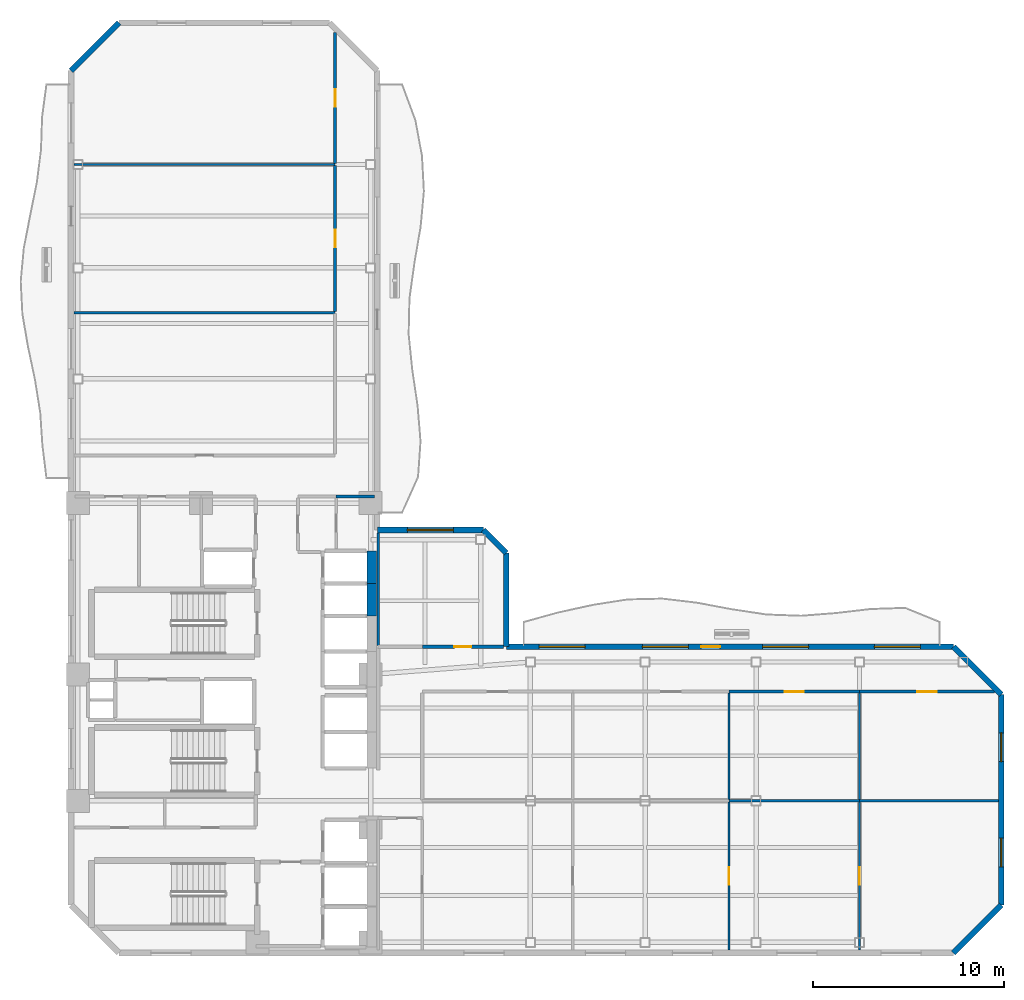
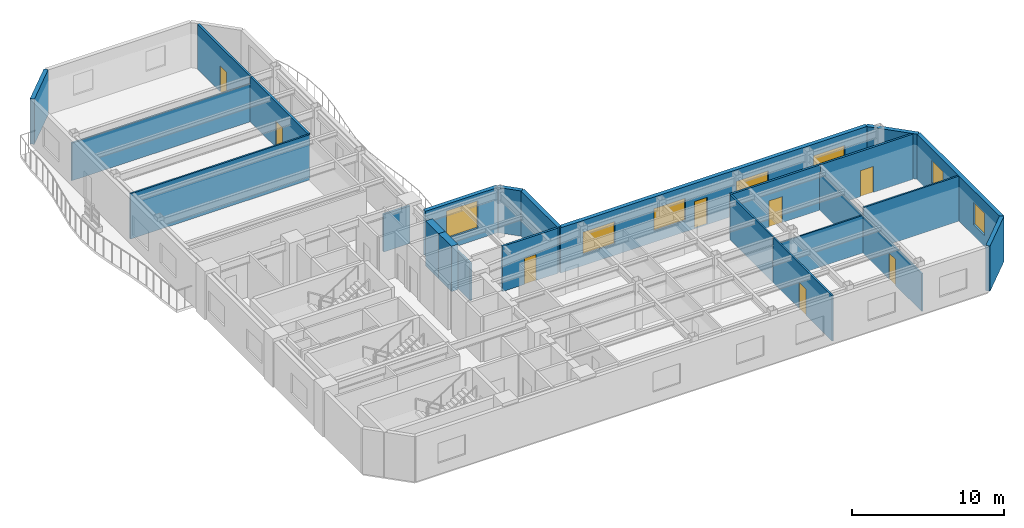
# One storey, part 5 of 9: 25 walls, 8 doors, 7 windows, 15 openings.
"""IFC4 building model written with IfcOpenShell, lengths in metres."""

from ifc_helpers import new_model, si_unit, direction, frame, frame_2d, origin, place, context, subcontext, project, spatial, rectangle, extrude, material, layer, layer_set, type_object, element, fill, save


model = new_model("IFC4")

# Units and contexts
model_context = context("Model", 3, precision=1e-05, world=origin(), true_north=direction((0.0, 1.0)))
body_context = subcontext(model_context, "Body", "Model", "MODEL_VIEW")
ifc_project = project(units=[si_unit("LENGTHUNIT", "METRE"), si_unit("AREAUNIT", "SQUARE_METRE"), si_unit("VOLUMEUNIT", "CUBIC_METRE"), si_unit("PLANEANGLEUNIT", "RADIAN"), si_unit("MASSUNIT", "GRAM", prefix="KILO")], contexts=[model_context])

# Site, building, storey
site_placement = place(None, origin())
site = spatial("IfcSite", under=ifc_project, at=site_placement, CompositionType="ELEMENT")
building_placement = place(site_placement, origin())
building = spatial("IfcBuilding", under=site, at=building_placement, Name="Mawjaban Terraces University", CompositionType="ELEMENT")
storey_placement = place(building_placement, frame((0.0, 0.0, 161.89990234375)))
storey = spatial("IfcBuildingStorey", under=building, at=storey_placement, Name="L39", CompositionType="ELEMENT", Elevation=161.89990234375)

# Walls
ifc_material_1 = material(Name="Concrete C60/75", Category="concrete")
ifc_layer_1 = layer(ifc_material_1, 0.5)
ifc_layer_set_1 = layer_set([ifc_layer_1], Name="Concrete C60/75")
wall_type_1 = type_object("IfcWallType", Name="CoreShearWall_500", PredefinedType="SHEAR", material=ifc_layer_set_1)
for number, where, z_axis, x_axis, name in (
    (1, (37.699951171875, 17.60009765625, 0.0), (0.0, 0.0, 1.0), (0.0, 1.0, 0.0), "L39 Lift PL-M1 Hoistway Wall East"),
    (2, (37.699951171875, 19.300048828125, 0.0), (0.0, 0.0, 1.0), (0.0, 1.0, 0.0), "L39 Lift PL-M2 Hoistway Wall East"),
):
    element("IfcWall", number, at=place(storey_placement, frame(where, z_axis=z_axis, x_axis=x_axis)), inside=storey, type_object=wall_type_1, Name=name, PredefinedType="SHEAR", context=body_context, shape_type="SweptSolid", body=[
        extrude(rectangle(XDim=1.699951171875, YDim=0.5, at=frame_2d((0.85009765625, 0.0))), origin(), (0.0, 0.0, 1.0), 3.64013671875),
    ])
ifc_material_2 = material(Name="Fire-rated gypsum board on steel stud", Category="steel")
ifc_layer_2 = layer(ifc_material_2, 0.159912109375)
ifc_layer_set_2 = layer_set([ifc_layer_2], Name="Fire-rated gypsum board on steel stud")
wall_type_2 = type_object("IfcWallType", Name="CorridorPartition_160", PredefinedType="PARTITIONING", material=ifc_layer_set_2)
wall_1_placement = place(storey_placement, frame((37.85009765625, 23.85009765625, 0.0), z_axis=(0.0, 0.0, 1.0), x_axis=(-1.0, 0.0, 0.0)))
element("IfcWall", 3, at=wall_1_placement, inside=storey, type_object=wall_type_2, Name="L39 Faculty Archive Closet Partition 15", PredefinedType="PARTITIONING", context=body_context, shape_type="SweptSolid", body=[
    extrude(rectangle(XDim=2.0, YDim=0.159912109375, at=frame_2d((1.0, 0.0))), origin(), (0.0, 0.0, 1.0), 3.023193359375),
])

# Wall, opening, door
wall_2_placement = place(storey_placement, frame((40.35009765625, 16.0, 0.0), z_axis=(0.0, 0.0, 1.0), x_axis=(1.0, 0.0, 0.0)))
wall_2 = element("IfcWall", 4, at=wall_2_placement, inside=storey, type_object=wall_type_2, Name="L39 Terrace Collaborative Study Room Partition 19", PredefinedType="PARTITIONING", context=body_context, shape_type="SweptSolid", body=[
    extrude(rectangle(XDim=4.245849609375, YDim=0.159912109375, at=frame_2d((2.123046875, 0.0))), origin(), (0.0, 0.0, 1.0), 3.64013671875),
])
opening_1_placement = place(wall_2_placement, frame((1.673095703125, 0.0, 0.0)))
opening_1 = element("IfcOpeningElement", 5, at=opening_1_placement, cuts=wall_2, Name="Opening ID-090", PredefinedType="OPENING", context=body_context, shape_type="SweptSolid", body=[
    extrude(rectangle(XDim=0.89990234375, YDim=2.10009765625, at=frame_2d((0.449951171875, 1.050048828125))), frame((0.0, 0.08984375, 0.0), z_axis=(0.0, -1.0, 0.0), x_axis=(1.0, 0.0, 0.0)), (0.0, 0.0, 1.0), 0.179931640625),
])
ifc_material_3 = material(Name="Powder-coated steel frame and solid acoustic timber leaf", Category="steel")
door_type_1 = type_object("IfcDoorType", Name="OfficeDoor_900x2100", OperationType="NOTDEFINED", PredefinedType="DOOR", material=ifc_material_3)
door_1_placement = place(opening_1_placement, origin())
door_1 = element("IfcDoor", 6, at=door_1_placement, inside=storey, type_object=door_type_1, Name="L39 Terrace Collaborative Study Room Door", OperationType="SINGLE_SWING_RIGHT", OverallHeight=2.10009765625, OverallWidth=0.89990234375, PredefinedType="DOOR", context=body_context, shape_type="SweptSolid", body=[
    extrude(rectangle(XDim=0.89990234375, YDim=2.10009765625, at=frame_2d((0.449951171875, 1.050048828125))), frame((0.0, 0.02490234375, 0.0), z_axis=(0.0, -1.0, 0.0), x_axis=(1.0, 0.0, 0.0)), (0.0, 0.0, 1.0), 0.050048828125),
])
fill(opening_1, door_1)

wall_3_placement = place(storey_placement, frame((56.3798828125, 13.64990234375, 0.0), z_axis=(0.0, 0.0, 1.0), x_axis=(1.0, 0.0, 0.0)))
wall_3 = element("IfcWall", 7, at=wall_3_placement, inside=storey, type_object=wall_type_2, Name="L39 Inner Terrace Gallery Corridor East Partition 23", PredefinedType="PARTITIONING", context=body_context, shape_type="SweptSolid", body=[
    extrude(rectangle(XDim=6.820068359375, YDim=0.159912109375, at=frame_2d((3.41015625, 0.0))), origin(), (0.0, 0.0, 1.0), 3.64013671875),
])
opening_2_placement = place(wall_3_placement, frame((2.909912109375, 0.0, 0.0)))
opening_2 = element("IfcOpeningElement", 8, at=opening_2_placement, cuts=wall_3, Name="Opening ID-100", PredefinedType="OPENING", context=body_context, shape_type="SweptSolid", body=[
    extrude(rectangle(XDim=1.0, YDim=2.10009765625, at=frame_2d((0.5, 1.050048828125))), frame((0.0, 0.08984375, 0.0), z_axis=(0.0, -1.0, 0.0), x_axis=(1.0, 0.0, 0.0)), (0.0, 0.0, 1.0), 0.179931640625),
])
door_type_2 = type_object("IfcDoorType", Name="ClassroomDoor_1000x2100", OperationType="NOTDEFINED", PredefinedType="DOOR", material=ifc_material_3)
door_2_placement = place(opening_2_placement, origin())
door_2 = element("IfcDoor", 9, at=door_2_placement, inside=storey, type_object=door_type_2, Name="L39 Classroom 7 Door", OperationType="SINGLE_SWING_RIGHT", OverallHeight=2.10009765625, OverallWidth=1.0, PredefinedType="DOOR", context=body_context, shape_type="SweptSolid", body=[
    extrude(rectangle(XDim=1.0, YDim=2.10009765625, at=frame_2d((0.5, 1.050048828125))), frame((0.0, 0.02490234375, 0.0), z_axis=(0.0, -1.0, 0.0), x_axis=(1.0, 0.0, 0.0)), (0.0, 0.0, 1.0), 0.050048828125),
])
fill(opening_2, door_2)

wall_4_placement = place(storey_placement, frame((63.199951171875, 13.64990234375, 0.0), z_axis=(0.0, 0.0, 1.0), x_axis=(1.0, 0.0, 0.0)))
wall_4 = element("IfcWall", 10, at=wall_4_placement, inside=storey, type_object=wall_type_2, Name="L39 Inner Terrace Gallery Corridor East Partition 25", PredefinedType="PARTITIONING", context=body_context, shape_type="SweptSolid", body=[
    extrude(rectangle(XDim=7.045166015625, YDim=0.159912109375, at=frame_2d((3.5224609375, 0.0))), origin(), (0.0, 0.0, 1.0), 3.64013671875),
])
opening_3_placement = place(wall_4_placement, frame((3.02294921875, 0.0, 0.0)))
opening_3 = element("IfcOpeningElement", 11, at=opening_3_placement, cuts=wall_4, Name="Opening ID-100", PredefinedType="OPENING", context=body_context, shape_type="SweptSolid", body=[
    extrude(rectangle(XDim=1.0, YDim=2.10009765625, at=frame_2d((0.5, 1.050048828125))), frame((0.0, 0.08984375, 0.0), z_axis=(0.0, -1.0, 0.0), x_axis=(1.0, 0.0, 0.0)), (0.0, 0.0, 1.0), 0.179931640625),
])
door_3_placement = place(opening_3_placement, origin())
door_3 = element("IfcDoor", 12, at=door_3_placement, inside=storey, type_object=door_type_2, Name="L39 Tutorial Room 9 Door", OperationType="SINGLE_SWING_RIGHT", OverallHeight=2.10009765625, OverallWidth=1.0, PredefinedType="DOOR", context=body_context, shape_type="SweptSolid", body=[
    extrude(rectangle(XDim=1.0, YDim=2.10009765625, at=frame_2d((0.5, 1.050048828125))), frame((0.0, 0.02490234375, 0.0), z_axis=(0.0, -1.0, 0.0), x_axis=(1.0, 0.0, 0.0)), (0.0, 0.0, 1.0), 0.050048828125),
])
fill(opening_3, door_3)

wall_5_placement = place(storey_placement, frame((35.800048828125, 41.14306640625, 0.0), z_axis=(0.0, 0.0, 1.0), x_axis=(0.0, -1.0, 0.0)))
wall_5 = element("IfcWall", 13, at=wall_5_placement, inside=storey, type_object=wall_type_2, Name="L39 Inner Terrace Gallery Corridor North Partition 35", PredefinedType="PARTITIONING", context=body_context, shape_type="SweptSolid", body=[
    extrude(rectangle(XDim=7.6259765625, YDim=0.159912109375, at=frame_2d((3.81298828125, 0.0))), origin(), (0.0, 0.0, 1.0), 3.64013671875),
])
opening_4_placement = place(wall_5_placement, frame((3.363037109375, 0.0, 0.0)))
opening_4 = element("IfcOpeningElement", 14, at=opening_4_placement, cuts=wall_5, Name="Opening ID-090", PredefinedType="OPENING", context=body_context, shape_type="SweptSolid", body=[
    extrude(rectangle(XDim=0.89990234375, YDim=2.10009765625, at=frame_2d((0.449951171875, 1.050048828125))), frame((0.0, 0.08984375, 0.0), z_axis=(0.0, -1.0, 0.0), x_axis=(1.0, 0.0, 0.0)), (0.0, 0.0, 1.0), 0.179931640625),
])
door_4_placement = place(opening_4_placement, origin())
door_4 = element("IfcDoor", 15, at=door_4_placement, inside=storey, type_object=door_type_1, Name="L39 Student Tea Pantry 11 Door", OperationType="SINGLE_SWING_RIGHT", OverallHeight=2.10009765625, OverallWidth=0.89990234375, PredefinedType="DOOR", context=body_context, shape_type="SweptSolid", body=[
    extrude(rectangle(XDim=0.89990234375, YDim=2.10009765625, at=frame_2d((0.449951171875, 1.050048828125))), frame((0.0, 0.02490234375, 0.0), z_axis=(0.0, -1.0, 0.0), x_axis=(1.0, 0.0, 0.0)), (0.0, 0.0, 1.0), 0.050048828125),
])
fill(opening_4, door_4)

wall_6_placement = place(storey_placement, frame((35.800048828125, 48.094970703125, 0.0), z_axis=(0.0, 0.0, 1.0), x_axis=(0.0, -1.0, 0.0)))
wall_6 = element("IfcWall", 16, at=wall_6_placement, inside=storey, type_object=wall_type_2, Name="L39 Inner Terrace Gallery Corridor North Partition 36", PredefinedType="PARTITIONING", context=body_context, shape_type="SweptSolid", body=[
    extrude(rectangle(XDim=6.8369140625, YDim=0.159912109375, at=frame_2d((3.41845703125, 0.0))), origin(), (0.0, 0.0, 1.0), 3.64013671875),
])
opening_5_placement = place(wall_6_placement, frame((2.968017578125, 0.0, 0.0)))
opening_5 = element("IfcOpeningElement", 17, at=opening_5_placement, cuts=wall_6, Name="Opening ID-090", PredefinedType="OPENING", context=body_context, shape_type="SweptSolid", body=[
    extrude(rectangle(XDim=0.89990234375, YDim=2.10009765625, at=frame_2d((0.449951171875, 1.050048828125))), frame((0.0, 0.08984375, 0.0), z_axis=(0.0, -1.0, 0.0), x_axis=(1.0, 0.0, 0.0)), (0.0, 0.0, 1.0), 0.179931640625),
])
door_5_placement = place(opening_5_placement, origin())
door_5 = element("IfcDoor", 18, at=door_5_placement, inside=storey, type_object=door_type_1, Name="L39 Quiet Reading Room 12 Door", OperationType="SINGLE_SWING_LEFT", OverallHeight=2.10009765625, OverallWidth=0.89990234375, PredefinedType="DOOR", context=body_context, shape_type="SweptSolid", body=[
    extrude(rectangle(XDim=0.89990234375, YDim=2.10009765625, at=frame_2d((0.449951171875, 1.050048828125))), frame((0.0, 0.02490234375, 0.0), z_axis=(0.0, -1.0, 0.0), x_axis=(1.0, 0.0, 0.0)), (0.0, 0.0, 1.0), 0.050048828125),
])
fill(opening_5, door_5)

# Wall
ifc_material_4 = material(Name="Insulated terracotta rainscreen on concrete backup C40/50", Category="masonry")
ifc_layer_3 = layer(ifc_material_4, 0.300048828125)
ifc_layer_set_3 = layer_set([ifc_layer_3], Name="Insulated terracotta rainscreen on concrete backup C40/50")
wall_type_3 = type_object("IfcWallType", Name="ExtTerracottaWall_300", PredefinedType="SOLIDWALL", material=ifc_layer_set_3)
wall_7_placement = place(storey_placement, frame((68.10009765625, 0.0, 0.0), z_axis=(0.0, 0.0, 1.0), x_axis=(0.707106781187, 0.707106781187, 0.0)))
element("IfcWall", 19, at=wall_7_placement, inside=storey, type_object=wall_type_3, Name="L39 Exterior Terracotta Wall 2", PredefinedType="SOLIDWALL", context=body_context, shape_type="SweptSolid", body=[
    extrude(rectangle(XDim=3.53564453125, YDim=0.300048828125, at=frame_2d((1.767822265625, 0.0))), origin(), (0.0, 0.0, 1.0), 3.64013671875),
])

# Wall, openings, windows
wall_8_placement = place(storey_placement, frame((70.60009765625, 2.5, 0.0), z_axis=(0.0, 0.0, 1.0), x_axis=(0.0, 1.0, 0.0)))
wall_8 = element("IfcWall", 20, at=wall_8_placement, inside=storey, type_object=wall_type_3, Name="L39 Exterior Terracotta Wall 3", PredefinedType="SOLIDWALL", context=body_context, shape_type="SweptSolid", body=[
    extrude(rectangle(XDim=11.0, YDim=0.300048828125, at=frame_2d((5.5, 0.0))), origin(), (0.0, 0.0, 1.0), 3.64013671875),
])
opening_6_placement = place(wall_8_placement, frame((2.0, 0.0, 0.89990234375)))
opening_6 = element("IfcOpeningElement", 21, at=opening_6_placement, cuts=wall_8, Name="Opening W-06", PredefinedType="OPENING", context=body_context, shape_type="SweptSolid", body=[
    extrude(rectangle(XDim=1.5, YDim=1.800048828125, at=frame_2d((0.75, 0.89990234375))), frame((0.0, 0.159912109375, 0.0), z_axis=(0.0, -1.0, 0.0), x_axis=(1.0, 0.0, 0.0)), (0.0, 0.0, 1.0), 0.320068359375),
])
opening_7_placement = place(wall_8_placement, frame((7.5, 0.0, 0.89990234375)))
opening_7 = element("IfcOpeningElement", 22, at=opening_7_placement, cuts=wall_8, Name="Opening W-06", PredefinedType="OPENING", context=body_context, shape_type="SweptSolid", body=[
    extrude(rectangle(XDim=1.5, YDim=1.800048828125, at=frame_2d((0.75, 0.89990234375))), frame((0.0, 0.159912109375, 0.0), z_axis=(0.0, -1.0, 0.0), x_axis=(1.0, 0.0, 0.0)), (0.0, 0.0, 1.0), 0.320068359375),
])
ifc_material_5 = material(Name="Low-E solar-control double glazing in thermally broken aluminium frame", Category="aluminium")
window_type_1 = type_object("IfcWindowType", Name="Win_1500x1800", PartitioningType="SINGLE_PANEL", PredefinedType="WINDOW", material=ifc_material_5)
window_1_placement = place(opening_6_placement, origin())
window_1 = element("IfcWindow", 23, at=window_1_placement, inside=storey, type_object=window_type_1, Name="L39 Facade Window 3.1", OverallHeight=1.800048828125, OverallWidth=1.5, PartitioningType="SINGLE_PANEL", PredefinedType="WINDOW", context=body_context, shape_type="SweptSolid", body=[
    extrude(rectangle(XDim=1.5, YDim=1.800048828125, at=frame_2d((0.75, 0.89990234375))), frame((0.0, 0.030029296875, 0.0), z_axis=(0.0, -1.0, 0.0), x_axis=(1.0, 0.0, 0.0)), (0.0, 0.0, 1.0), 0.06005859375),
])
fill(opening_6, window_1)
window_2_placement = place(opening_7_placement, origin())
window_2 = element("IfcWindow", 24, at=window_2_placement, inside=storey, type_object=window_type_1, Name="L39 Facade Window 3.2", OverallHeight=1.800048828125, OverallWidth=1.5, PartitioningType="SINGLE_PANEL", PredefinedType="WINDOW", context=body_context, shape_type="SweptSolid", body=[
    extrude(rectangle(XDim=1.5, YDim=1.800048828125, at=frame_2d((0.75, 0.89990234375))), frame((0.0, 0.030029296875, 0.0), z_axis=(0.0, -1.0, 0.0), x_axis=(1.0, 0.0, 0.0)), (0.0, 0.0, 1.0), 0.06005859375),
])
fill(opening_7, window_2)

# Wall
wall_9_placement = place(storey_placement, frame((70.60009765625, 13.5, 0.0), z_axis=(0.0, 0.0, 1.0), x_axis=(-0.707106781187, 0.707106781187, 0.0)))
element("IfcWall", 25, at=wall_9_placement, inside=storey, type_object=wall_type_3, Name="L39 Exterior Terracotta Wall 4", PredefinedType="SOLIDWALL", context=body_context, shape_type="SweptSolid", body=[
    extrude(rectangle(XDim=3.53564453125, YDim=0.300048828125, at=frame_2d((1.767822265625, 0.0))), origin(), (0.0, 0.0, 1.0), 3.64013671875),
])

# Wall, openings, door, windows
wall_10_placement = place(storey_placement, frame((68.10009765625, 16.0, 0.0), z_axis=(0.0, 0.0, 1.0), x_axis=(-1.0, 0.0, 0.0)))
wall_10 = element("IfcWall", 26, at=wall_10_placement, inside=storey, type_object=wall_type_3, Name="L39 Exterior Terracotta Wall 5", PredefinedType="SOLIDWALL", context=body_context, shape_type="SweptSolid", body=[
    extrude(rectangle(XDim=23.359130859375, YDim=0.300048828125, at=frame_2d((11.6796875, 0.0))), origin(), (0.0, 0.0, 1.0), 3.64013671875),
])
opening_8_placement = place(wall_10_placement, frame((12.178955078125, 0.0, 0.0)))
opening_8 = element("IfcOpeningElement", 27, at=opening_8_placement, cuts=wall_10, Name="Opening BD-100", PredefinedType="OPENING", context=body_context, shape_type="SweptSolid", body=[
    extrude(rectangle(XDim=1.0, YDim=2.199951171875, at=frame_2d((0.5, 1.10009765625))), frame((0.0, 0.159912109375, 0.0), z_axis=(0.0, -1.0, 0.0), x_axis=(1.0, 0.0, 0.0)), (0.0, 0.0, 1.0), 0.320068359375),
])
opening_9_placement = place(wall_10_placement, frame((1.719970703125, 0.0, 0.89990234375)))
opening_9 = element("IfcOpeningElement", 28, at=opening_9_placement, cuts=wall_10, Name="Opening W-08", PredefinedType="OPENING", context=body_context, shape_type="SweptSolid", body=[
    extrude(rectangle(XDim=2.39990234375, YDim=1.800048828125, at=frame_2d((1.199951171875, 0.89990234375))), frame((0.0, 0.159912109375, 0.0), z_axis=(0.0, -1.0, 0.0), x_axis=(1.0, 0.0, 0.0)), (0.0, 0.0, 1.0), 0.320068359375),
])
opening_10_placement = place(wall_10_placement, frame((7.56005859375, 0.0, 0.89990234375)))
opening_10 = element("IfcOpeningElement", 29, at=opening_10_placement, cuts=wall_10, Name="Opening W-08", PredefinedType="OPENING", context=body_context, shape_type="SweptSolid", body=[
    extrude(rectangle(XDim=2.39990234375, YDim=1.800048828125, at=frame_2d((1.199951171875, 0.89990234375))), frame((0.0, 0.159912109375, 0.0), z_axis=(0.0, -1.0, 0.0), x_axis=(1.0, 0.0, 0.0)), (0.0, 0.0, 1.0), 0.320068359375),
])
opening_11_placement = place(wall_10_placement, frame((13.84912109375, 0.0, 0.89990234375)))
opening_11 = element("IfcOpeningElement", 30, at=opening_11_placement, cuts=wall_10, Name="Opening W-08", PredefinedType="OPENING", context=body_context, shape_type="SweptSolid", body=[
    extrude(rectangle(XDim=2.39990234375, YDim=1.800048828125, at=frame_2d((1.199951171875, 0.89990234375))), frame((0.0, 0.159912109375, 0.0), z_axis=(0.0, -1.0, 0.0), x_axis=(1.0, 0.0, 0.0)), (0.0, 0.0, 1.0), 0.320068359375),
])
opening_12_placement = place(wall_10_placement, frame((19.239013671875, 0.0, 0.89990234375)))
opening_12 = element("IfcOpeningElement", 31, at=opening_12_placement, cuts=wall_10, Name="Opening W-08", PredefinedType="OPENING", context=body_context, shape_type="SweptSolid", body=[
    extrude(rectangle(XDim=2.39990234375, YDim=1.800048828125, at=frame_2d((1.199951171875, 0.89990234375))), frame((0.0, 0.159912109375, 0.0), z_axis=(0.0, -1.0, 0.0), x_axis=(1.0, 0.0, 0.0)), (0.0, 0.0, 1.0), 0.320068359375),
])
ifc_material_6 = material(Name="Thermally broken anodised aluminium and laminated safety glass", Category="aluminium")
door_type_3 = type_object("IfcDoorType", Name="BalconyGlazedDoor_1000x2200", OperationType="NOTDEFINED", PredefinedType="DOOR", material=ifc_material_6)
door_6_placement = place(opening_8_placement, origin())
door_6 = element("IfcDoor", 32, at=door_6_placement, inside=storey, type_object=door_type_3, Name="L39 Balcony Access Door inner_north", OperationType="SINGLE_SWING_RIGHT", OverallHeight=2.199951171875, OverallWidth=1.0, PredefinedType="DOOR", context=body_context, shape_type="SweptSolid", body=[
    extrude(rectangle(XDim=1.0, YDim=2.199951171875, at=frame_2d((0.5, 1.10009765625))), frame((0.0, 0.02490234375, 0.0), z_axis=(0.0, -1.0, 0.0), x_axis=(1.0, 0.0, 0.0)), (0.0, 0.0, 1.0), 0.050048828125),
])
fill(opening_8, door_6)
window_type_2 = type_object("IfcWindowType", Name="Win_2400x1800", PartitioningType="SINGLE_PANEL", PredefinedType="WINDOW", material=ifc_material_5)
window_3_placement = place(opening_9_placement, origin())
window_3 = element("IfcWindow", 33, at=window_3_placement, inside=storey, type_object=window_type_2, Name="L39 Facade Window 5.1", OverallHeight=1.800048828125, OverallWidth=2.39990234375, PartitioningType="SINGLE_PANEL", PredefinedType="WINDOW", context=body_context, shape_type="SweptSolid", body=[
    extrude(rectangle(XDim=2.39990234375, YDim=1.800048828125, at=frame_2d((1.199951171875, 0.89990234375))), frame((0.0, 0.030029296875, 0.0), z_axis=(0.0, -1.0, 0.0), x_axis=(1.0, 0.0, 0.0)), (0.0, 0.0, 1.0), 0.06005859375),
])
fill(opening_9, window_3)
window_4_placement = place(opening_10_placement, origin())
window_4 = element("IfcWindow", 34, at=window_4_placement, inside=storey, type_object=window_type_2, Name="L39 Facade Window 5.2", OverallHeight=1.800048828125, OverallWidth=2.39990234375, PartitioningType="SINGLE_PANEL", PredefinedType="WINDOW", context=body_context, shape_type="SweptSolid", body=[
    extrude(rectangle(XDim=2.39990234375, YDim=1.800048828125, at=frame_2d((1.199951171875, 0.89990234375))), frame((0.0, 0.030029296875, 0.0), z_axis=(0.0, -1.0, 0.0), x_axis=(1.0, 0.0, 0.0)), (0.0, 0.0, 1.0), 0.06005859375),
])
fill(opening_10, window_4)
window_5_placement = place(opening_11_placement, origin())
window_5 = element("IfcWindow", 35, at=window_5_placement, inside=storey, type_object=window_type_2, Name="L39 Facade Window 5.3", OverallHeight=1.800048828125, OverallWidth=2.39990234375, PartitioningType="SINGLE_PANEL", PredefinedType="WINDOW", context=body_context, shape_type="SweptSolid", body=[
    extrude(rectangle(XDim=2.39990234375, YDim=1.800048828125, at=frame_2d((1.199951171875, 0.89990234375))), frame((0.0, 0.030029296875, 0.0), z_axis=(0.0, -1.0, 0.0), x_axis=(1.0, 0.0, 0.0)), (0.0, 0.0, 1.0), 0.06005859375),
])
fill(opening_11, window_5)
window_6_placement = place(opening_12_placement, origin())
window_6 = element("IfcWindow", 36, at=window_6_placement, inside=storey, type_object=window_type_2, Name="L39 Facade Window 5.4", OverallHeight=1.800048828125, OverallWidth=2.39990234375, PartitioningType="SINGLE_PANEL", PredefinedType="WINDOW", context=body_context, shape_type="SweptSolid", body=[
    extrude(rectangle(XDim=2.39990234375, YDim=1.800048828125, at=frame_2d((1.199951171875, 0.89990234375))), frame((0.0, 0.030029296875, 0.0), z_axis=(0.0, -1.0, 0.0), x_axis=(1.0, 0.0, 0.0)), (0.0, 0.0, 1.0), 0.06005859375),
])
fill(opening_12, window_6)

# Walls
wall_11_placement = place(storey_placement, frame((44.740966796875, 16.0, 0.0), z_axis=(0.0, 0.0, 1.0), x_axis=(0.0, 1.0, 0.0)))
element("IfcWall", 37, at=wall_11_placement, inside=storey, type_object=wall_type_3, Name="L39 Exterior Terracotta Wall 6", PredefinedType="SOLIDWALL", context=body_context, shape_type="SweptSolid", body=[
    extrude(rectangle(XDim=4.89990234375, YDim=0.300048828125, at=frame_2d((2.449951171875, 0.0))), origin(), (0.0, 0.0, 1.0), 3.64013671875),
])
wall_12_placement = place(storey_placement, frame((44.740966796875, 20.89990234375, 0.0), z_axis=(0.0, 0.0, 1.0), x_axis=(-0.707034851297, 0.707178703759, 0.0)))
element("IfcWall", 38, at=wall_12_placement, inside=storey, type_object=wall_type_3, Name="L39 Exterior Terracotta Wall 7", PredefinedType="SOLIDWALL", context=body_context, shape_type="SweptSolid", body=[
    extrude(rectangle(XDim=1.697265625, YDim=0.300048828125, at=frame_2d((0.8486328125, 0.0))), origin(), (0.0, 0.0, 1.0), 3.64013671875),
])

# Wall, opening, window
wall_13_placement = place(storey_placement, frame((43.541015625, 22.10009765625, 0.0), z_axis=(0.0, 0.0, 1.0), x_axis=(-1.0, 0.0, 0.0)))
wall_13 = element("IfcWall", 39, at=wall_13_placement, inside=storey, type_object=wall_type_3, Name="L39 Exterior Terracotta Wall 8", PredefinedType="SOLIDWALL", context=body_context, shape_type="SweptSolid", body=[
    extrude(rectangle(XDim=5.541015625, YDim=0.300048828125, at=frame_2d((2.7705078125, 0.0))), origin(), (0.0, 0.0, 1.0), 3.64013671875),
])
opening_13_placement = place(wall_13_placement, frame((1.570068359375, 0.0, 0.89990234375)))
opening_13 = element("IfcOpeningElement", 40, at=opening_13_placement, cuts=wall_13, Name="Opening W-11", PredefinedType="OPENING", context=body_context, shape_type="SweptSolid", body=[
    extrude(rectangle(XDim=2.39990234375, YDim=2.199951171875, at=frame_2d((1.199951171875, 1.10009765625))), frame((0.0, 0.159912109375, 0.0), z_axis=(0.0, -1.0, 0.0), x_axis=(1.0, 0.0, 0.0)), (0.0, 0.0, 1.0), 0.320068359375),
])
window_type_3 = type_object("IfcWindowType", Name="Win_2400x2200", PartitioningType="SINGLE_PANEL", PredefinedType="WINDOW", material=ifc_material_5)
window_7_placement = place(opening_13_placement, origin())
window_7 = element("IfcWindow", 41, at=window_7_placement, inside=storey, type_object=window_type_3, Name="L39 Facade Window 8.1", OverallHeight=2.199951171875, OverallWidth=2.39990234375, PartitioningType="SINGLE_PANEL", PredefinedType="WINDOW", context=body_context, shape_type="SweptSolid", body=[
    extrude(rectangle(XDim=2.39990234375, YDim=2.199951171875, at=frame_2d((1.199951171875, 1.10009765625))), frame((0.0, 0.030029296875, 0.0), z_axis=(0.0, -1.0, 0.0), x_axis=(1.0, 0.0, 0.0)), (0.0, 0.0, 1.0), 0.06005859375),
])
fill(opening_13, window_7)

# Walls
wall_14_placement = place(storey_placement, frame((24.5, 48.60009765625, 0.0), z_axis=(0.0, 0.0, 1.0), x_axis=(-0.707106781187, -0.707106781187, 0.0)))
element("IfcWall", 42, at=wall_14_placement, inside=storey, type_object=wall_type_3, Name="L39 Exterior Terracotta Wall 12", PredefinedType="SOLIDWALL", context=body_context, shape_type="SweptSolid", body=[
    extrude(rectangle(XDim=3.53564453125, YDim=0.300048828125, at=frame_2d((1.767822265625, 0.0))), origin(), (0.0, 0.0, 1.0), 3.64013671875),
])
ifc_material_7 = material(Name="Gypsum plasterboard on steel stud", Category="steel")
ifc_layer_4 = layer(ifc_material_7, 0.125)
ifc_layer_set_4 = layer_set([ifc_layer_4], Name="Gypsum plasterboard on steel stud")
wall_type_4 = type_object("IfcWallType", Name="OfficePartition_125", PredefinedType="PARTITIONING", material=ifc_layer_set_4)
wall_15_placement = place(storey_placement, frame((35.800048828125, 33.4599609375, 0.0), z_axis=(0.0, 0.0, 1.0), x_axis=(-1.0, 0.0, 0.0)))
element("IfcWall", 43, at=wall_15_placement, inside=storey, type_object=wall_type_4, Name="L39 Student Tea Pantry 10 Partition 12", PredefinedType="PARTITIONING", context=body_context, shape_type="SweptSolid", body=[
    extrude(rectangle(XDim=13.655029296875, YDim=0.125, at=frame_2d((6.82763671875, 0.0))), origin(), (0.0, 0.0, 1.0), 3.64013671875),
])
wall_16_placement = place(storey_placement, frame((35.800048828125, 41.199951171875, 0.0), z_axis=(0.0, 0.0, 1.0), x_axis=(-1.0, 0.0, 0.0)))
element("IfcWall", 44, at=wall_16_placement, inside=storey, type_object=wall_type_4, Name="L39 Student Tea Pantry 11 Partition 13", PredefinedType="PARTITIONING", context=body_context, shape_type="SweptSolid", body=[
    extrude(rectangle(XDim=13.655029296875, YDim=0.125, at=frame_2d((6.82763671875, 0.0))), origin(), (0.0, 0.0, 1.0), 3.023193359375),
])
wall_17_placement = place(storey_placement, frame((70.455078125, 7.949951171875, 0.0), z_axis=(0.0, 0.0, 1.0), x_axis=(-1.0, 0.0, 0.0)))
element("IfcWall", 45, at=wall_17_placement, inside=storey, type_object=wall_type_4, Name="L39 Seminar Room 8 Partition 26", PredefinedType="PARTITIONING", context=body_context, shape_type="SweptSolid", body=[
    extrude(rectangle(XDim=7.255126953125, YDim=0.125, at=frame_2d((3.62744140625, 0.0))), origin(), (0.0, 0.0, 1.0), 3.64013671875),
])
wall_18_placement = place(storey_placement, frame((38.050048828125, 21.955078125, 0.0), z_axis=(0.0, 0.0, 1.0), x_axis=(0.0, -1.0, 0.0)))
element("IfcWall", 46, at=wall_18_placement, inside=storey, type_object=wall_type_4, Name="L39 Terrace Collaborative Study Room Partition 40", PredefinedType="PARTITIONING", context=body_context, shape_type="SweptSolid", body=[
    extrude(rectangle(XDim=5.880126953125, YDim=0.125, at=frame_2d((2.93994140625, 0.0))), origin(), (0.0, 0.0, 1.0), 3.023193359375),
])

# Wall, opening, door
wall_19_placement = place(storey_placement, frame((56.3798828125, 0.14501953125, 0.0), z_axis=(0.0, 0.0, 1.0), x_axis=(0.0, 1.0, 0.0)))
wall_19 = element("IfcWall", 47, at=wall_19_placement, inside=storey, type_object=wall_type_4, Name="L39 Seminar Room 4 Partition 45", PredefinedType="PARTITIONING", context=body_context, shape_type="SweptSolid", body=[
    extrude(rectangle(XDim=7.748046875, YDim=0.125, at=frame_2d((3.8740234375, 0.0))), origin(), (0.0, 0.0, 1.0), 3.64013671875),
])
opening_14_placement = place(wall_19_placement, frame((3.424072265625, 0.0, 0.0)))
opening_14 = element("IfcOpeningElement", 48, at=opening_14_placement, cuts=wall_19, Name="Opening ID-090", PredefinedType="OPENING", context=body_context, shape_type="SweptSolid", body=[
    extrude(rectangle(XDim=0.89990234375, YDim=2.10009765625, at=frame_2d((0.449951171875, 1.050048828125))), frame((0.0, 0.072509765625, 0.0), z_axis=(0.0, -1.0, 0.0), x_axis=(1.0, 0.0, 0.0)), (0.0, 0.0, 1.0), 0.14501953125),
])
door_7_placement = place(opening_14_placement, origin())
door_7 = element("IfcDoor", 49, at=door_7_placement, inside=storey, type_object=door_type_1, Name="L39 Conference Room 6 Door", OperationType="SINGLE_SWING_LEFT", OverallHeight=2.10009765625, OverallWidth=0.89990234375, PredefinedType="DOOR", context=body_context, shape_type="SweptSolid", body=[
    extrude(rectangle(XDim=0.89990234375, YDim=2.10009765625, at=frame_2d((0.449951171875, 1.050048828125))), frame((0.0, 0.02490234375, 0.0), z_axis=(0.0, -1.0, 0.0), x_axis=(1.0, 0.0, 0.0)), (0.0, 0.0, 1.0), 0.050048828125),
])
fill(opening_14, door_7)

# Wall
wall_20_placement = place(storey_placement, frame((56.3798828125, 8.008056640625, 0.0), z_axis=(0.0, 0.0, 1.0), x_axis=(0.0, 1.0, 0.0)))
element("IfcWall", 50, at=wall_20_placement, inside=storey, type_object=wall_type_4, Name="L39 Tutorial Room 5 Partition 46", PredefinedType="PARTITIONING", context=body_context, shape_type="SweptSolid", body=[
    extrude(rectangle(XDim=5.56689453125, YDim=0.125, at=frame_2d((2.783447265625, 0.0))), origin(), (0.0, 0.0, 1.0), 3.64013671875),
])

# Wall, opening, door
wall_21_placement = place(storey_placement, frame((63.199951171875, 0.14501953125, 0.0), z_axis=(0.0, 0.0, 1.0), x_axis=(0.0, 1.0, 0.0)))
wall_21 = element("IfcWall", 51, at=wall_21_placement, inside=storey, type_object=wall_type_4, Name="L39 Conference Room 6 Partition 47", PredefinedType="PARTITIONING", context=body_context, shape_type="SweptSolid", body=[
    extrude(rectangle(XDim=7.748046875, YDim=0.125, at=frame_2d((3.8740234375, 0.0))), origin(), (0.0, 0.0, 1.0), 3.023193359375),
])
opening_15_placement = place(wall_21_placement, frame((3.424072265625, 0.0, 0.0)))
opening_15 = element("IfcOpeningElement", 52, at=opening_15_placement, cuts=wall_21, Name="Opening ID-090", PredefinedType="OPENING", context=body_context, shape_type="SweptSolid", body=[
    extrude(rectangle(XDim=0.89990234375, YDim=2.10009765625, at=frame_2d((0.449951171875, 1.050048828125))), frame((0.0, 0.072509765625, 0.0), z_axis=(0.0, -1.0, 0.0), x_axis=(1.0, 0.0, 0.0)), (0.0, 0.0, 1.0), 0.14501953125),
])
door_8_placement = place(opening_15_placement, origin())
door_8 = element("IfcDoor", 53, at=door_8_placement, inside=storey, type_object=door_type_1, Name="L39 Seminar Room 8 Door", OperationType="SINGLE_SWING_LEFT", OverallHeight=2.10009765625, OverallWidth=0.89990234375, PredefinedType="DOOR", context=body_context, shape_type="SweptSolid", body=[
    extrude(rectangle(XDim=0.89990234375, YDim=2.10009765625, at=frame_2d((0.449951171875, 1.050048828125))), frame((0.0, 0.02490234375, 0.0), z_axis=(0.0, -1.0, 0.0), x_axis=(1.0, 0.0, 0.0)), (0.0, 0.0, 1.0), 0.050048828125),
])
fill(opening_15, door_8)

# Walls
wall_22_placement = place(storey_placement, frame((63.199951171875, 8.008056640625, 0.0), z_axis=(0.0, 0.0, 1.0), x_axis=(0.0, 1.0, 0.0)))
element("IfcWall", 54, at=wall_22_placement, inside=storey, type_object=wall_type_4, Name="L39 Classroom 7 Partition 48", PredefinedType="PARTITIONING", context=body_context, shape_type="SweptSolid", body=[
    extrude(rectangle(XDim=5.56689453125, YDim=0.125, at=frame_2d((2.783447265625, 0.0))), origin(), (0.0, 0.0, 1.0), 3.023193359375),
])
ifc_material_8 = material(Name="Acoustic operable panel partition", Category="masonry")
ifc_layer_5 = layer(ifc_material_8, 0.110107421875)
ifc_layer_set_5 = layer_set([ifc_layer_5], Name="Acoustic operable panel partition")
wall_type_5 = type_object("IfcWallType", Name="OperableSeminarWall_110", PredefinedType="MOVABLE", material=ifc_layer_set_5)
wall_23_placement = place(storey_placement, frame((63.199951171875, 7.949951171875, 0.0), z_axis=(0.0, 0.0, 1.0), x_axis=(-1.0, 0.0, 0.0)))
element("IfcWall", 55, at=wall_23_placement, inside=storey, type_object=wall_type_5, Name="L39 Conference Room 6 Partition 24", PredefinedType="MOVABLE", context=body_context, shape_type="SweptSolid", body=[
    extrude(rectangle(XDim=6.820068359375, YDim=0.110107421875, at=frame_2d((3.41015625, 0.0))), origin(), (0.0, 0.0, 1.0), 3.023193359375),
])

save(model, "model.ifc")
